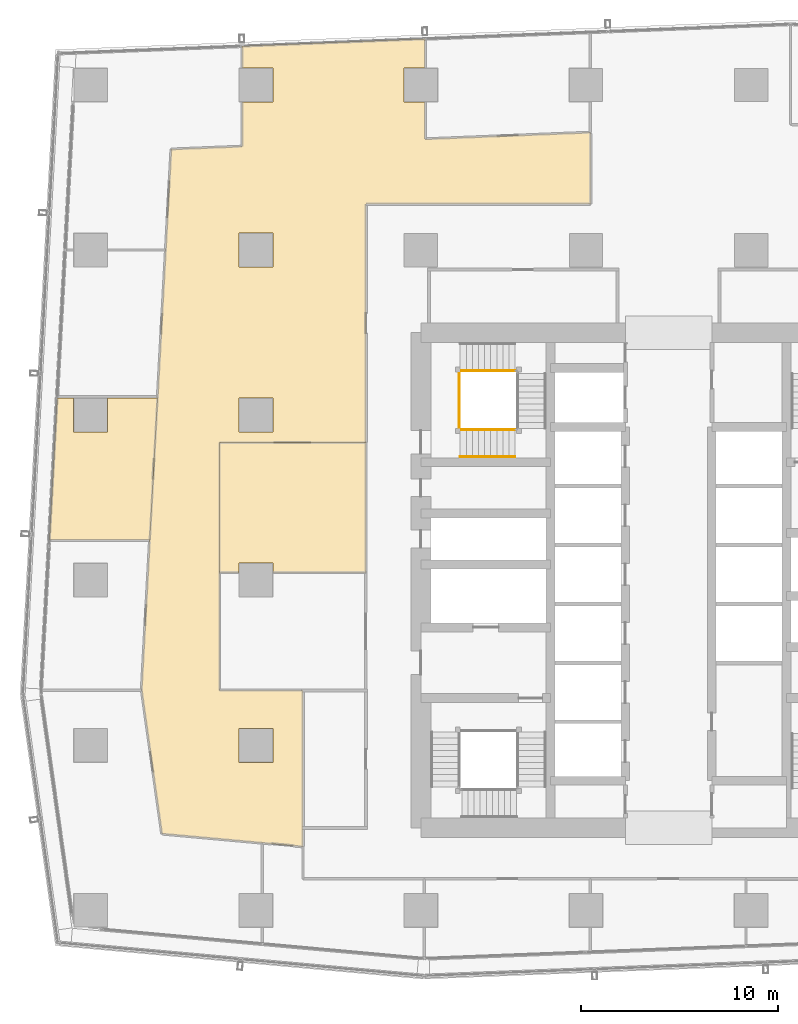
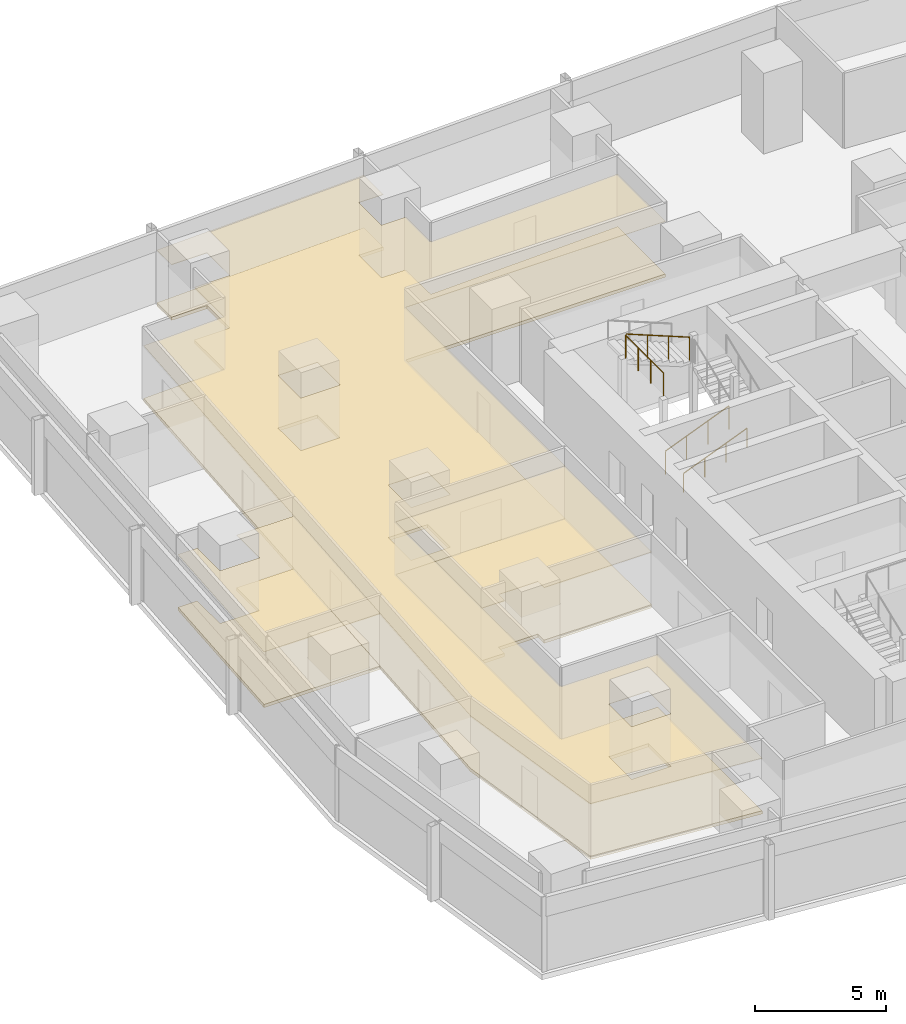
# One storey, part 35 of 40: 6 coverings, 4 railings.
"""IFC4 building model written with IfcOpenShell, lengths in metres."""

import ifcopenshell
import ifcopenshell.guid

model = None  # the IFC model being written
_history = None  # IfcOwnerHistory: only IFC2X3 demands one
_inside = {}  # id of a spatial element -> (the spatial element, [elements in it])
_under = {}  # id of a project, library or spatial element -> (it, [spatial elements below it])
_declared = {}  # id of a project -> (the project, [libraries it declares])
_typed = {}  # id of a type object -> (the type object, [elements of that type])
_made_of = {}  # id of a material, layer set ... -> (it, [elements and type objects made of it])


def new_model(schema):
    """Start an empty IFC model of exactly this schema.

    Asked for "IFC4X3", IfcOpenShell would pick the latest addendum, in which some entities
    have other attributes; the version numbers below select the first issue.
    IFC2X3 requires an IfcOwnerHistory on every rooted entity: one is made here for all.
    """
    global model, _history
    if schema == "IFC4X3":
        model = ifcopenshell.file(schema_version=(4, 3, 0, 0))
    else:
        model = ifcopenshell.file(schema=schema)
    _inside.clear()
    _under.clear()
    _declared.clear()
    _typed.clear()
    _made_of.clear()
    _history = None
    if model.schema == "IFC2X3":
        org = make("IfcOrganization", Name="unknown")
        user = make(
            "IfcPersonAndOrganization",
            ThePerson=make("IfcPerson", FamilyName="unknown"),
            TheOrganization=org,
        )
        app = make(
            "IfcApplication",
            ApplicationDeveloper=org,
            Version="unknown",
            ApplicationFullName="unknown",
            ApplicationIdentifier="unknown",
        )
        _history = make(
            "IfcOwnerHistory",
            OwningUser=user,
            OwningApplication=app,
            ChangeAction="ADDED",
            CreationDate=0,
        )
    return model


def make(cls, **values):
    """One entity of the class cls with the attributes given. An attribute that is None is left unset."""
    return model.create_entity(
        cls, **{name: value for name, value in values.items() if value is not None}
    )


def rooted(cls, **values):
    """An entity with a GlobalId (a new one), such as an element, a storey or a relation."""
    return make(cls, GlobalId=ifcopenshell.guid.new(), OwnerHistory=_history, **values)


def si_unit(unit_type, name, prefix=None):
    """IfcSIUnit, for example si_unit("LENGTHUNIT", "METRE", prefix="MILLI")."""
    return make("IfcSIUnit", UnitType=unit_type, Prefix=prefix, Name=name)


def assignment(units):
    """IfcUnitAssignment: the units of a project."""
    return None if units is None else make("IfcUnitAssignment", Units=units)


def point(xyz):
    """IfcCartesianPoint."""
    return None if xyz is None else make("IfcCartesianPoint", Coordinates=xyz)


def direction(xyz):
    """IfcDirection."""
    return None if xyz is None else make("IfcDirection", DirectionRatios=xyz)


def frame(location, z_axis=None, x_axis=None):
    """IfcAxis2Placement3D, a coordinate frame: its origin and axes. An axis left out is left unset."""
    return make(
        "IfcAxis2Placement3D",
        Location=point(location),
        Axis=direction(z_axis),
        RefDirection=direction(x_axis),
    )


def frame_2d(location, x_axis=None):
    """IfcAxis2Placement2D, a coordinate frame in the plane: its origin and x axis."""
    return make(
        "IfcAxis2Placement2D", Location=point(location), RefDirection=direction(x_axis)
    )


def origin():
    """The frame at (0, 0, 0) with its axes left unset."""
    return frame((0.0, 0.0, 0.0))


def origin_2d():
    """The frame at (0, 0) in the plane with its x axis left unset."""
    return frame_2d((0.0, 0.0))


def place(relative_to, where):
    """IfcLocalPlacement: puts the frame where relative to a parent placement (None: the world)."""
    return make(
        "IfcLocalPlacement", PlacementRelTo=relative_to, RelativePlacement=where
    )


def context(
    kind, dimensions, precision=None, world=None, true_north=None, identifier=None
):
    """IfcGeometricRepresentationContext, for example the 3D "Model" context."""
    return make(
        "IfcGeometricRepresentationContext",
        ContextIdentifier=identifier,
        ContextType=kind,
        CoordinateSpaceDimension=dimensions,
        Precision=precision,
        WorldCoordinateSystem=world,
        TrueNorth=true_north,
    )


def subcontext(parent, identifier, kind, view, scale=None):
    """IfcGeometricRepresentationSubContext, for example "Body" below "Model"."""
    return make(
        "IfcGeometricRepresentationSubContext",
        ContextIdentifier=identifier,
        ContextType=kind,
        ParentContext=parent,
        TargetScale=scale,
        TargetView=view,
    )


def project(units=None, contexts=None):
    """IfcProject with its units and contexts."""
    return rooted(
        "IfcProject",
        Name="project",
        RepresentationContexts=contexts,
        UnitsInContext=assignment(units),
    )


def spatial(cls, under=None, at=None, **own):
    """A site, building, storey or space (cls), placed at a placement, below another one or the project."""
    s = rooted(cls, ObjectPlacement=at, **own)
    if under is not None:
        _under.setdefault(under.id(), (under, []))[1].append(s)
    return s


def polyline(points):
    """IfcPolyline through the points."""
    return make("IfcPolyline", Points=[point(p) for p in points])


def profile(cls, at=None, kind="AREA", **sizes):
    """A parametric profile (cls). Its sizes go by their IFC names, for example OverallWidth=200.0."""
    return make(cls, ProfileType=kind, Position=at, **sizes)


def circle(**sizes):
    """IfcCircleProfileDef."""
    return profile("IfcCircleProfileDef", **sizes)


def outline(outer, holes=None, kind="AREA"):
    """IfcArbitraryClosedProfileDef: a profile drawn as a closed curve; with holes, ...WithVoids."""
    if holes is None:
        return make("IfcArbitraryClosedProfileDef", ProfileType=kind, OuterCurve=outer)
    return make(
        "IfcArbitraryProfileDefWithVoids",
        ProfileType=kind,
        OuterCurve=outer,
        InnerCurves=holes,
    )


def extrude(swept, where, along, depth):
    """IfcExtrudedAreaSolid: the profile swept, set in the frame where, extruded along a direction by depth."""
    return make(
        "IfcExtrudedAreaSolid",
        SweptArea=swept,
        Position=where,
        ExtrudedDirection=direction(along),
        Depth=depth,
    )


def shape(context_of_items, identifier, shape_type, items):
    """IfcShapeRepresentation: the items that make up one representation, for example the "Body"."""
    return make(
        "IfcShapeRepresentation",
        ContextOfItems=context_of_items,
        RepresentationIdentifier=identifier,
        RepresentationType=shape_type,
        Items=items,
    )


def material(Name=None, Category=None):
    """IfcMaterial."""
    return make("IfcMaterial", Name=Name, Category=Category)


def layer(
    of_material, thickness, ventilated=None, Name=None, Category=None, Priority=None
):
    """IfcMaterialLayer: one layer of a wall or slab, of a material (None: an air gap)."""
    return make(
        "IfcMaterialLayer",
        Material=of_material,
        LayerThickness=thickness,
        IsVentilated=ventilated,
        Name=Name,
        Category=Category,
        Priority=Priority,
    )


def layer_set(layers, Name=None):
    """IfcMaterialLayerSet."""
    return make("IfcMaterialLayerSet", MaterialLayers=layers, LayerSetName=Name)


def made_of(thing, what):
    """Note that an element or type object is made of a material, layer set ...; save() writes the relation."""
    if what is not None:
        _made_of.setdefault(what.id(), (what, []))[1].append(thing)
    return thing


def type_object(cls, material=None, **own):
    """A type object (cls), such as IfcWallType, which elements share."""
    return made_of(rooted(cls, **own), material)


def element(
    cls,
    number,
    at=None,
    inside=None,
    cuts=None,
    type_object=None,
    material=None,
    context=None,
    identifier="Body",
    shape_type=None,
    held_by="IfcProductDefinitionShape",
    body=None,
    shapes=None,
    **own,
):
    """One element of the class cls, such as IfcWall. Its Tag is "e" and its number.

    at: its placement. inside: the storey or other place that contains it. cuts: it is an
    opening in that element (IfcRelVoidsElement). A single representation is given by context,
    identifier, shape_type and body (its items); several are given by shapes. held_by: the class
    of the entity that holds the representations. save() writes the other relations.
    """
    e = rooted(cls, Tag="e%d" % number, ObjectPlacement=at, **own)
    if body is not None:
        shapes = [shape(context, identifier, shape_type, body)]
    if shapes is not None:
        e.Representation = make(held_by, Representations=shapes)
    if inside is not None:
        _inside.setdefault(inside.id(), (inside, []))[1].append(e)
    if cuts is not None:
        rooted(
            "IfcRelVoidsElement", RelatingBuildingElement=cuts, RelatedOpeningElement=e
        )
    if type_object is not None:
        _typed.setdefault(type_object.id(), (type_object, []))[1].append(e)
    return made_of(e, material)


def aggregate(whole, parts):
    """IfcRelAggregates: a whole, such as a stair, and the parts it consists of."""
    return rooted("IfcRelAggregates", RelatingObject=whole, RelatedObjects=parts)


def save(model, path):
    """Write the relations noted so far, then the file.

    IfcRelAggregates (storeys below a building ...), IfcRelContainedInSpatialStructure (elements
    in a storey), IfcRelDefinesByType, IfcRelAssociatesMaterial and IfcRelDeclares: one each for
    every whole, place, type object, material and project.
    """
    for whole, parts in _under.values():
        aggregate(whole, parts)
    for where, things in _inside.values():
        rooted(
            "IfcRelContainedInSpatialStructure",
            RelatedElements=things,
            RelatingStructure=where,
        )
    for kind, things in _typed.values():
        rooted("IfcRelDefinesByType", RelatedObjects=things, RelatingType=kind)
    for what, things in _made_of.values():
        rooted("IfcRelAssociatesMaterial", RelatedObjects=things, RelatingMaterial=what)
    for by, libraries in _declared.values():
        rooted("IfcRelDeclares", RelatingContext=by, RelatedDefinitions=libraries)
    model.write(path)


model = new_model("IFC4")

# Units and contexts
model_context = context("Model", 3, precision=1e-05, world=origin(), true_north=direction((0.0, 1.0)))
body_context = subcontext(model_context, "Body", "Model", "MODEL_VIEW")
ifc_project = project(units=[si_unit("LENGTHUNIT", "METRE"), si_unit("AREAUNIT", "SQUARE_METRE"), si_unit("VOLUMEUNIT", "CUBIC_METRE"), si_unit("PLANEANGLEUNIT", "RADIAN"), si_unit("MASSUNIT", "GRAM", prefix="KILO")], contexts=[model_context])

# Site, building, storey
site_placement = place(None, origin())
site = spatial("IfcSite", under=ifc_project, at=site_placement, CompositionType="ELEMENT")
building_placement = place(site_placement, origin())
building = spatial("IfcBuilding", under=site, at=building_placement, Name="Rekha Terrace Tower", CompositionType="ELEMENT")
storey_placement = place(building_placement, frame((0.0, 0.0, 136.550048828125)))
storey = spatial("IfcBuildingStorey", under=building, at=storey_placement, Name="L34", CompositionType="ELEMENT", Elevation=136.550048828125)

# Coverings
ifc_material_1 = material(Name="Mineral fibre tile in exposed grid", Category="finish")
ifc_layer_1 = layer(ifc_material_1, 0.02001953125)
ifc_layer_set_1 = layer_set([ifc_layer_1], Name="Mineral fibre tile in exposed grid")
covering_type_1 = type_object("IfcCoveringType", Name="CL1 600x1200 office grid ceiling", PredefinedType="CEILING", material=ifc_layer_set_1)
covering_1_placement = place(storey_placement, frame((0.0, 0.0, 2.579833984375)))
element("IfcCovering", 1, at=covering_1_placement, inside=storey, type_object=covering_type_1, Name="Ceiling L34-14", PredefinedType="CEILING", context=body_context, shape_type="SweptSolid", body=[
    extrude(outline(polyline([(9.264892578125, 41.135009765625), (7.534912109375, 41.135009765625), (7.534912109375, 42.8720703125), (6.68994140625, 42.8720703125), (6.29296875, 35.635009765625), (11.40087890625, 35.635009765625), (11.797119140625, 42.8720703125), (9.264892578125, 42.8720703125), (9.264892578125, 41.135009765625)])), origin(), (0.0, 0.0, 1.0), 0.02001953125),
])
covering_2_placement = place(storey_placement, frame((0.0, 0.0, 2.579833984375)))
element("IfcCovering", 2, at=covering_2_placement, inside=storey, type_object=covering_type_1, Name="Ceiling L34-19", PredefinedType="CEILING", context=body_context, shape_type="SweptSolid", body=[
    extrude(outline(polyline([(22.39990234375, 40.60009765625), (14.949951171875, 40.60009765625), (14.949951171875, 34.0), (15.93505859375, 34.0), (15.93505859375, 34.465087890625), (17.6650390625, 34.465087890625), (17.6650390625, 34.0), (22.39990234375, 34.0), (22.39990234375, 40.60009765625)])), origin(), (0.0, 0.0, 1.0), 0.02001953125),
])
covering_3_placement = place(storey_placement, frame((0.0, 0.0, 2.579833984375)))
element("IfcCovering", 3, at=covering_3_placement, inside=storey, type_object=covering_type_1, Name="Ceiling L34-O2", PredefinedType="CEILING", context=body_context, shape_type="SweptSolid", body=[
    extrude(outline(polyline([(10.98388671875, 28.031005859375), (10.989990234375, 27.988037109375), (12.01806640625, 20.694091796875), (17.135009765625, 20.22900390625), (19.199951171875, 20.041015625), (19.199951171875, 28.0), (14.949951171875, 28.0), (14.949951171875, 40.60009765625), (22.39990234375, 40.60009765625), (22.39990234375, 52.75), (33.825927734375, 52.75), (33.825927734375, 56.386962890625), (25.4140625, 56.050048828125), (25.4140625, 57.93505859375), (24.3349609375, 57.93505859375), (24.3349609375, 59.6650390625), (25.4140625, 59.6650390625), (25.4140625, 61.154052734375), (16.10107421875, 60.781005859375), (16.10107421875, 59.6650390625), (17.6650390625, 59.6650390625), (17.6650390625, 57.93505859375), (16.10107421875, 57.93505859375), (16.10107421875, 55.676025390625), (12.490966796875, 55.531982421875), (12.2099609375, 50.402099609375), (11.797119140625, 42.8720703125), (11.40087890625, 35.635009765625), (11.39990234375, 35.635009765625), (10.98388671875, 28.031005859375)]), holes=[polyline([(17.6650390625, 26.06494140625), (17.6650390625, 24.3349609375), (15.93505859375, 24.3349609375), (15.93505859375, 26.06494140625), (17.6650390625, 26.06494140625)]), polyline([(17.6650390625, 41.135009765625), (15.93505859375, 41.135009765625), (15.93505859375, 42.864990234375), (17.6650390625, 42.864990234375), (17.6650390625, 41.135009765625)]), polyline([(17.6650390625, 49.534912109375), (15.93505859375, 49.534912109375), (15.93505859375, 51.264892578125), (17.6650390625, 51.264892578125), (17.6650390625, 49.534912109375)])]), origin(), (0.0, 0.0, 1.0), 0.02001953125),
])

# Railings
ifc_material_2 = material(Name="Stainless steel balustrade", Category="steel")
railing_type_1 = type_object("IfcRailingType", Name="GR1 1100 stair guard", PredefinedType="GUARDRAIL", material=ifc_material_2)
railing_1_placement = place(storey_placement, frame((27.199951171875, 41.264892578125, 0.125)))
element("IfcRailing", 4, at=railing_1_placement, inside=storey, type_object=railing_type_1, Name="Guard ST4 L34 flight 1", PredefinedType="GUARDRAIL", context=body_context, shape_type="SweptSolid", body=[
    extrude(circle(Radius=0.02392578125, at=origin_2d()), frame((0.0, 0.0, 1.076171875), z_axis=(0.927443287984, 0.0, 0.373963831907), x_axis=(0.0, 1.0, 0.0)), (0.0, 0.0, 1.0), 3.00830078125),
    extrude(circle(Radius=0.02099609375, at=origin_2d()), origin(), (0.0, 0.0, 1.0), 1.052001953125),
    extrude(circle(Radius=0.02099609375, at=origin_2d()), frame((0.929931640625, 0.0, 0.375)), (0.0, 0.0, 1.0), 1.052001953125),
    extrude(circle(Radius=0.02099609375, at=origin_2d()), frame((1.860107421875, 0.0, 0.75)), (0.0, 0.0, 1.0), 1.052001953125),
    extrude(circle(Radius=0.02099609375, at=origin_2d()), frame((2.7900390625, 0.0, 1.125)), (0.0, 0.0, 1.0), 1.052001953125),
])
railing_2_placement = place(storey_placement, frame((29.989990234375, 44.260009765625, 2.625)))
element("IfcRailing", 5, at=railing_2_placement, inside=storey, type_object=railing_type_1, Name="Guard ST4 L34 flight 3", PredefinedType="GUARDRAIL", context=body_context, shape_type="SweptSolid", body=[
    extrude(circle(Radius=0.02392578125, at=origin_2d()), frame((0.0, 0.0, 1.076171875), z_axis=(-0.927443287984, 0.0, 0.373963831907), x_axis=(0.0, -1.0, 0.0)), (0.0, 0.0, 1.0), 3.00830078125),
    extrude(circle(Radius=0.02099609375, at=origin_2d()), origin(), (0.0, 0.0, 1.0), 1.052001953125),
    extrude(circle(Radius=0.02099609375, at=origin_2d()), frame((-0.929931640625, 0.0, 0.375)), (0.0, 0.0, 1.0), 1.052001953125),
    extrude(circle(Radius=0.02099609375, at=origin_2d()), frame((-1.860107421875, 0.0, 0.75)), (0.0, 0.0, 1.0), 1.052001953125),
    extrude(circle(Radius=0.02099609375, at=origin_2d()), frame((-2.7900390625, 0.0, 1.125)), (0.0, 0.0, 1.0), 1.052001953125),
])
railing_3_placement = place(storey_placement, frame((27.139892578125, 41.324951171875, 3.75)))
element("IfcRailing", 6, at=railing_3_placement, inside=storey, type_object=railing_type_1, Name="Guard ST4 L34 landing 4", PredefinedType="GUARDRAIL", context=body_context, shape_type="SweptSolid", body=[
    extrude(circle(Radius=0.02392578125, at=origin_2d()), frame((0.0, 0.0, 1.076171875), z_axis=(0.0, 1.0, 0.0), x_axis=(-1.0, 0.0, 0.0)), (0.0, 0.0, 1.0), 2.875),
    extrude(circle(Radius=0.02099609375, at=origin_2d()), origin(), (0.0, 0.0, 1.0), 1.052001953125),
    extrude(circle(Radius=0.02099609375, at=origin_2d()), frame((0.0, 0.958251953125, 0.0)), (0.0, 0.0, 1.0), 1.052001953125),
    extrude(circle(Radius=0.02099609375, at=origin_2d()), frame((0.0, 1.916748046875, 0.0)), (0.0, 0.0, 1.0), 1.052001953125),
    extrude(circle(Radius=0.02099609375, at=origin_2d()), frame((0.0, 2.875, 0.0)), (0.0, 0.0, 1.0), 1.052001953125),
])
ifc_material_3 = material(Name="Stainless steel tube", Category="steel")
railing_type_2 = type_object("IfcRailingType", Name="HR1 900 stair handrail", PredefinedType="HANDRAIL", material=ifc_material_3)
railing_4_placement = place(storey_placement, frame((27.199951171875, 39.885009765625, 0.125)))
element("IfcRailing", 7, at=railing_4_placement, inside=storey, type_object=railing_type_2, Name="Handrail ST4 L34 flight 1", PredefinedType="HANDRAIL", context=body_context, shape_type="SweptSolid", body=[
    extrude(circle(Radius=0.02392578125, at=origin_2d()), frame((0.0, 0.0, 0.8759765625), z_axis=(0.927443287984, 0.0, 0.373963831907), x_axis=(0.0, 1.0, 0.0)), (0.0, 0.0, 1.0), 3.00830078125),
    extrude(circle(Radius=0.02099609375, at=origin_2d()), origin(), (0.0, 0.0, 1.0), 0.851806640625),
    extrude(circle(Radius=0.02099609375, at=origin_2d()), frame((0.929931640625, 0.0, 0.375)), (0.0, 0.0, 1.0), 0.851806640625),
    extrude(circle(Radius=0.02099609375, at=origin_2d()), frame((1.860107421875, 0.0, 0.75)), (0.0, 0.0, 1.0), 0.851806640625),
    extrude(circle(Radius=0.02099609375, at=origin_2d()), frame((2.7900390625, 0.0, 1.125)), (0.0, 0.0, 1.0), 0.851806640625),
])

# Coverings
ifc_material_4 = material(Name="Calcium sulphate panels on steel pedestals", Category="steel")
ifc_layer_2 = layer(ifc_material_4, 0.14990234375)
ifc_layer_set_2 = layer_set([ifc_layer_2], Name="Calcium sulphate panels on steel pedestals")
covering_type_2 = type_object("IfcCoveringType", Name="RF1 150 raised access floor", PredefinedType="FLOORING", material=ifc_layer_set_2)
covering_4_placement = place(storey_placement, origin())
element("IfcCovering", 8, at=covering_4_placement, inside=storey, type_object=covering_type_2, Name="Raised floor L34-14", PredefinedType="FLOORING", context=body_context, shape_type="SweptSolid", body=[
    extrude(outline(polyline([(9.264892578125, 41.135009765625), (7.534912109375, 41.135009765625), (7.534912109375, 42.8720703125), (6.68994140625, 42.8720703125), (6.29296875, 35.635009765625), (11.40087890625, 35.635009765625), (11.797119140625, 42.8720703125), (9.264892578125, 42.8720703125), (9.264892578125, 41.135009765625)])), origin(), (0.0, 0.0, 1.0), 0.14990234375),
])
covering_5_placement = place(storey_placement, origin())
element("IfcCovering", 9, at=covering_5_placement, inside=storey, type_object=covering_type_2, Name="Raised floor L34-19", PredefinedType="FLOORING", context=body_context, shape_type="SweptSolid", body=[
    extrude(outline(polyline([(22.39990234375, 40.60009765625), (14.949951171875, 40.60009765625), (14.949951171875, 34.0), (15.93505859375, 34.0), (15.93505859375, 34.465087890625), (17.6650390625, 34.465087890625), (17.6650390625, 34.0), (22.39990234375, 34.0), (22.39990234375, 40.60009765625)])), origin(), (0.0, 0.0, 1.0), 0.14990234375),
])
covering_6_placement = place(storey_placement, origin())
element("IfcCovering", 10, at=covering_6_placement, inside=storey, type_object=covering_type_2, Name="Raised floor L34-O2", PredefinedType="FLOORING", context=body_context, shape_type="SweptSolid", body=[
    extrude(outline(polyline([(10.98388671875, 28.031005859375), (10.989990234375, 27.988037109375), (12.01806640625, 20.694091796875), (17.135009765625, 20.22900390625), (19.199951171875, 20.041015625), (19.199951171875, 28.0), (14.949951171875, 28.0), (14.949951171875, 40.60009765625), (22.39990234375, 40.60009765625), (22.39990234375, 52.75), (33.825927734375, 52.75), (33.825927734375, 56.386962890625), (25.4140625, 56.050048828125), (25.4140625, 57.93505859375), (24.3349609375, 57.93505859375), (24.3349609375, 59.6650390625), (25.4140625, 59.6650390625), (25.4140625, 61.154052734375), (16.10107421875, 60.781005859375), (16.10107421875, 59.6650390625), (17.6650390625, 59.6650390625), (17.6650390625, 57.93505859375), (16.10107421875, 57.93505859375), (16.10107421875, 55.676025390625), (12.490966796875, 55.531982421875), (12.2099609375, 50.402099609375), (11.797119140625, 42.8720703125), (11.40087890625, 35.635009765625), (11.39990234375, 35.635009765625), (10.98388671875, 28.031005859375)]), holes=[polyline([(17.6650390625, 26.06494140625), (17.6650390625, 24.3349609375), (15.93505859375, 24.3349609375), (15.93505859375, 26.06494140625), (17.6650390625, 26.06494140625)]), polyline([(17.6650390625, 41.135009765625), (15.93505859375, 41.135009765625), (15.93505859375, 42.864990234375), (17.6650390625, 42.864990234375), (17.6650390625, 41.135009765625)]), polyline([(17.6650390625, 49.534912109375), (15.93505859375, 49.534912109375), (15.93505859375, 51.264892578125), (17.6650390625, 51.264892578125), (17.6650390625, 49.534912109375)])]), origin(), (0.0, 0.0, 1.0), 0.14990234375),
])

save(model, "model.ifc")
